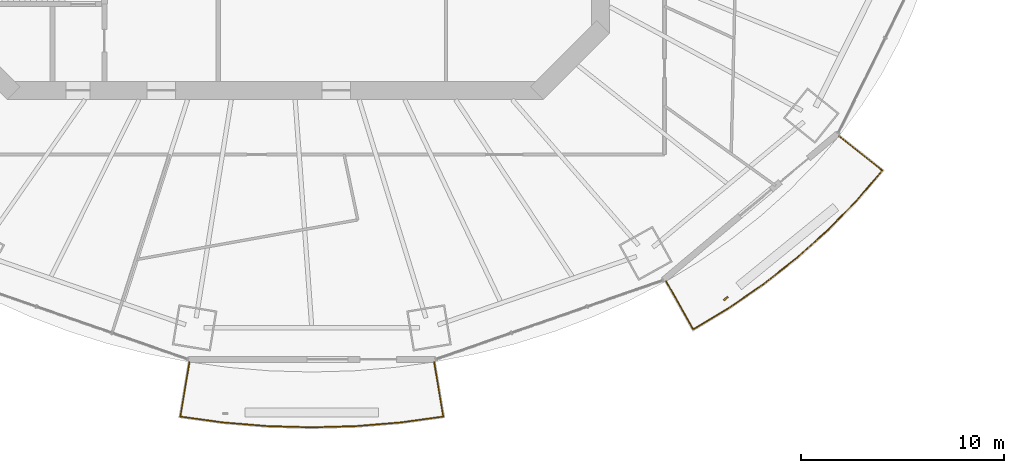
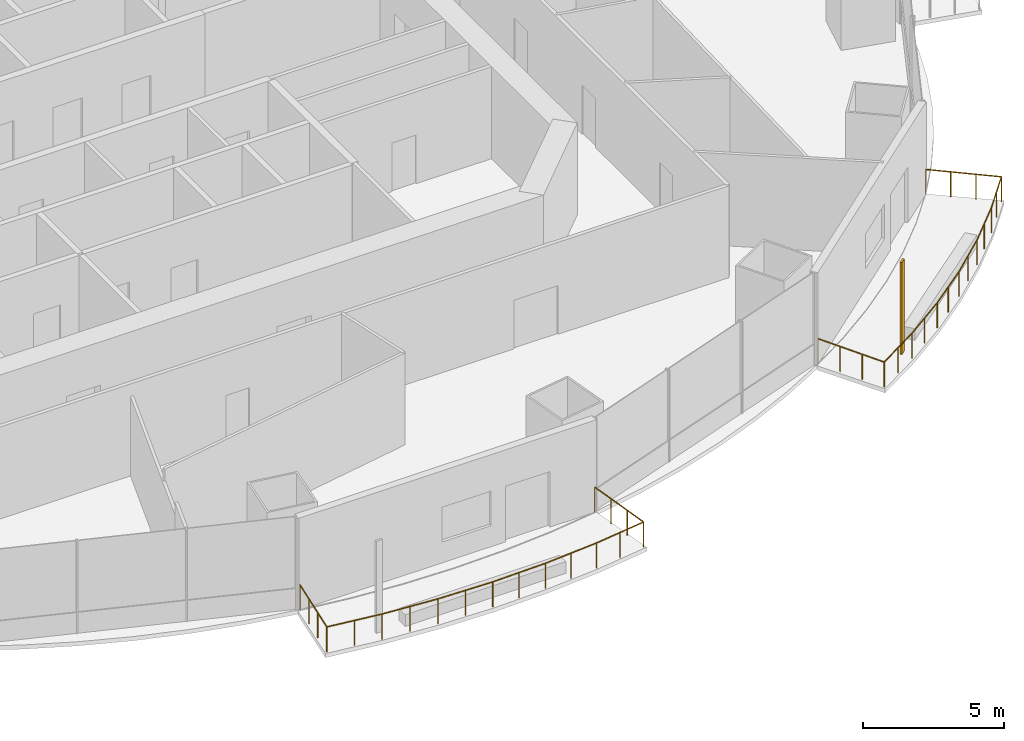
# One storey, part 16 of 20: 2 railings, 1 shading device.
"""IFC4 building model written with IfcOpenShell, lengths in metres."""

from ifc_helpers import new_model, si_unit, direction, frame, origin, origin_2d, place, context, subcontext, project, spatial, rectangle, circle, extrude, material, material_profile, profile_set, type_object, element, save


model = new_model("IFC4")

# Units and contexts
model_context = context("Model", 3, precision=1e-05, world=origin(), true_north=direction((0.0, 1.0)))
body_context = subcontext(model_context, "Body", "Model", "MODEL_VIEW")
ifc_project = project(units=[si_unit("LENGTHUNIT", "METRE"), si_unit("AREAUNIT", "SQUARE_METRE"), si_unit("VOLUMEUNIT", "CUBIC_METRE"), si_unit("PLANEANGLEUNIT", "RADIAN"), si_unit("MASSUNIT", "GRAM", prefix="KILO")], contexts=[model_context])

# Site, building, storey
site_placement = place(None, origin())
site = spatial("IfcSite", under=ifc_project, at=site_placement, CompositionType="ELEMENT")
building_placement = place(site_placement, origin())
building = spatial("IfcBuilding", under=site, at=building_placement, Name="Marenthal Gate Tower", CompositionType="ELEMENT")
storey_placement = place(building_placement, frame((0.0, 0.0, 215.0)))
storey = spatial("IfcBuildingStorey", under=building, at=storey_placement, Name="L47", CompositionType="ELEMENT", Elevation=215.0)

# Railings
ifc_material_1 = material(Name="Stainless steel", Category="steel")
railing_type = type_object("IfcRailingType", Name="Balcony guard 1100", PredefinedType="GUARDRAIL", material=ifc_material_1)
railing_1_placement = place(storey_placement, frame((7.817626953125, -26.35888671875, 0.0)))
element("IfcRailing", 1, at=railing_1_placement, inside=storey, type_object=railing_type, Name="Balcony guard L47 bay 12", PredefinedType="GUARDRAIL", context=body_context, shape_type="SweptSolid", body=[
    extrude(circle(Radius=0.02392578125, at=origin_2d()), frame((0.0, 0.0, 1.076171875), z_axis=(0.164963320777, -0.986189863276, -0.014719251691), x_axis=(0.986296712796, 0.164981193859, 0.0)), (0.0, 0.0, 1.0), 2.72021484375),
    extrude(circle(Radius=0.02392578125, at=origin_2d()), frame((0.44873046875, -2.6826171875, 1.0361328125), z_axis=(-0.990663789329, -0.136327754009, 0.0), x_axis=(0.136327754009, -0.990663789329, 0.0)), (0.0, 0.0, 1.0), 2.10791015625),
    extrude(circle(Radius=0.02392578125, at=origin_2d()), frame((-1.639404296875, -2.969970703125, 1.0361328125), z_axis=(-0.996589397045, -0.082520141157, 0.0), x_axis=(0.082520141157, -0.996589397045, 0.0)), (0.0, 0.0, 1.0), 2.1923828125),
    extrude(circle(Radius=0.02392578125, at=origin_2d()), frame((-3.82421875, -3.15087890625, 1.0361328125), z_axis=(-0.999622272762, -0.027482936484, 0.0), x_axis=(0.027482936484, -0.999622272762, 0.0)), (0.0, 0.0, 1.0), 2.194091796875),
    extrude(circle(Radius=0.02392578125, at=origin_2d()), frame((-6.017578125, -3.211181640625, 1.0361328125), z_axis=(-0.999622356789, 0.027479880036, 0.0), x_axis=(-0.027479880036, -0.999622356789, 0.0)), (0.0, 0.0, 1.0), 2.1943359375),
    extrude(circle(Radius=0.02392578125, at=origin_2d()), frame((-8.211181640625, -3.15087890625, 1.0361328125), z_axis=(-0.996588638583, 0.082529300535, 0.0), x_axis=(-0.082529300535, -0.996588638583, 0.0)), (0.0, 0.0, 1.0), 2.192138671875),
    extrude(circle(Radius=0.02392578125, at=origin_2d()), frame((-10.395751953125, -2.969970703125, 1.0361328125), z_axis=(-0.990663789329, 0.136327754009, 0.0), x_axis=(-0.136327754009, -0.990663789329, 0.0)), (0.0, 0.0, 1.0), 2.10791015625),
    extrude(circle(Radius=0.02392578125, at=origin_2d()), frame((-12.48388671875, -2.6826171875, 1.0361328125), z_axis=(0.164876009703, 0.98620446087, 0.014719469565), x_axis=(-0.986311315136, 0.164893873854, 0.0)), (0.0, 0.0, 1.0), 2.72021484375),
    extrude(circle(Radius=0.02099609375, at=origin_2d()), origin(), (0.0, 0.0, 1.0), 1.052001953125),
    extrude(circle(Radius=0.02099609375, at=origin_2d()), frame((0.149658203125, -0.894287109375, -0.013427734375)), (0.0, 0.0, 1.0), 1.052001953125),
    extrude(circle(Radius=0.02099609375, at=origin_2d()), frame((0.299072265625, -1.788330078125, -0.026611328125)), (0.0, 0.0, 1.0), 1.052001953125),
    extrude(circle(Radius=0.02099609375, at=origin_2d()), frame((0.44873046875, -2.6826171875, -0.0400390625)), (0.0, 0.0, 1.0), 1.052001953125),
    extrude(circle(Radius=0.02099609375, at=origin_2d()), frame((-0.59521484375, -2.826171875, -0.0400390625)), (0.0, 0.0, 1.0), 1.052001953125),
    extrude(circle(Radius=0.02099609375, at=origin_2d()), frame((-1.639404296875, -2.969970703125, -0.0400390625)), (0.0, 0.0, 1.0), 1.052001953125),
    extrude(circle(Radius=0.02099609375, at=origin_2d()), frame((-2.73193359375, -3.060546875, -0.0400390625)), (0.0, 0.0, 1.0), 1.052001953125),
    extrude(circle(Radius=0.02099609375, at=origin_2d()), frame((-3.82421875, -3.15087890625, -0.0400390625)), (0.0, 0.0, 1.0), 1.052001953125),
    extrude(circle(Radius=0.02099609375, at=origin_2d()), frame((-4.9208984375, -3.18115234375, -0.0400390625)), (0.0, 0.0, 1.0), 1.052001953125),
    extrude(circle(Radius=0.02099609375, at=origin_2d()), frame((-6.017578125, -3.211181640625, -0.0400390625)), (0.0, 0.0, 1.0), 1.052001953125),
    extrude(circle(Radius=0.02099609375, at=origin_2d()), frame((-7.1142578125, -3.18115234375, -0.0400390625)), (0.0, 0.0, 1.0), 1.052001953125),
    extrude(circle(Radius=0.02099609375, at=origin_2d()), frame((-8.211181640625, -3.15087890625, -0.0400390625)), (0.0, 0.0, 1.0), 1.052001953125),
    extrude(circle(Radius=0.02099609375, at=origin_2d()), frame((-9.303466796875, -3.060546875, -0.0400390625)), (0.0, 0.0, 1.0), 1.052001953125),
    extrude(circle(Radius=0.02099609375, at=origin_2d()), frame((-10.395751953125, -2.969970703125, -0.0400390625)), (0.0, 0.0, 1.0), 1.052001953125),
    extrude(circle(Radius=0.02099609375, at=origin_2d()), frame((-11.43994140625, -2.826171875, -0.0400390625)), (0.0, 0.0, 1.0), 1.052001953125),
    extrude(circle(Radius=0.02099609375, at=origin_2d()), frame((-12.48388671875, -2.6826171875, -0.0400390625)), (0.0, 0.0, 1.0), 1.052001953125),
    extrude(circle(Radius=0.02099609375, at=origin_2d()), frame((-12.33447265625, -1.788330078125, -0.026611328125)), (0.0, 0.0, 1.0), 1.052001953125),
    extrude(circle(Radius=0.02099609375, at=origin_2d()), frame((-12.184814453125, -0.894287109375, -0.013427734375)), (0.0, 0.0, 1.0), 1.052001953125),
    extrude(circle(Radius=0.02099609375, at=origin_2d()), frame((-12.035400390625, 0.0, 0.0)), (0.0, 0.0, 1.0), 1.052001953125),
])
railing_2_placement = place(storey_placement, frame((27.733642578125, -15.246337890625, 0.0)))
element("IfcRailing", 2, at=railing_2_placement, inside=storey, type_object=railing_type, Name="Balcony guard L47 bay 14", PredefinedType="GUARDRAIL", context=body_context, shape_type="SweptSolid", body=[
    extrude(circle(Radius=0.02392578125, at=origin_2d()), frame((0.0, 0.0, 1.076171875), z_axis=(0.782820273023, -0.622073757432, -0.014719390596), x_axis=(0.622141157777, 0.782905089905, 0.0)), (0.0, 0.0, 1.0), 2.72021484375),
    extrude(circle(Radius=0.02392578125, at=origin_2d()), frame((2.12939453125, -1.692138671875, 1.0361328125), z_axis=(-0.650003821806, -0.759930938729, 0.0), x_axis=(0.759930938729, -0.650003821806, 0.0)), (0.0, 0.0, 1.0), 1.941162109375),
    extrude(circle(Radius=0.02392578125, at=origin_2d()), frame((0.86767578125, -3.167236328125, 1.0361328125), z_axis=(-0.698730968348, -0.715384535667, 0.0), x_axis=(0.715384535667, -0.698730968348, 0.0)), (0.0, 0.0, 1.0), 2.037841796875),
    extrude(circle(Radius=0.02392578125, at=origin_2d()), frame((-0.55615234375, -4.625, 1.0361328125), z_axis=(-0.744433020663, -0.667697145229, 0.0), x_axis=(0.667697145229, -0.744433020663, 0.0)), (0.0, 0.0, 1.0), 2.05517578125),
    extrude(circle(Radius=0.02392578125, at=origin_2d()), frame((-2.086181640625, -5.997314453125, 1.0361328125), z_axis=(-0.785888916209, -0.618367699173, 0.0), x_axis=(0.618367699173, -0.785888916209, 0.0)), (0.0, 0.0, 1.0), 2.072265625),
    extrude(circle(Radius=0.02392578125, at=origin_2d()), frame((-3.71484375, -7.27880859375, 1.0361328125), z_axis=(-0.823321977979, -0.567574594724, 0.0), x_axis=(0.567574594724, -0.823321977979, 0.0)), (0.0, 0.0, 1.0), 2.089599609375),
    extrude(circle(Radius=0.02392578125, at=origin_2d()), frame((-5.435302734375, -8.46484375, 1.0361328125), z_axis=(-0.856139874466, -0.51674414883, 0.0), x_axis=(0.51674414883, -0.856139874466, 0.0)), (0.0, 0.0, 1.0), 2.0263671875),
    extrude(circle(Radius=0.02392578125, at=origin_2d()), frame((-7.170166015625, -9.511962890625, 1.0361328125), z_axis=(-0.489692426364, 0.871770992902, 0.014719493754), x_axis=(-0.871865448727, -0.489745484223, 0.0)), (0.0, 0.0, 1.0), 2.72021484375),
    extrude(circle(Radius=0.02099609375, at=origin_2d()), origin(), (0.0, 0.0, 1.0), 1.052001953125),
    extrude(circle(Radius=0.02099609375, at=origin_2d()), frame((0.709716796875, -0.56396484375, -0.013427734375)), (0.0, 0.0, 1.0), 1.052001953125),
    extrude(circle(Radius=0.02099609375, at=origin_2d()), frame((1.419677734375, -1.128173828125, -0.026611328125)), (0.0, 0.0, 1.0), 1.052001953125),
    extrude(circle(Radius=0.02099609375, at=origin_2d()), frame((2.12939453125, -1.692138671875, -0.0400390625)), (0.0, 0.0, 1.0), 1.052001953125),
    extrude(circle(Radius=0.02099609375, at=origin_2d()), frame((1.49853515625, -2.4296875, -0.0400390625)), (0.0, 0.0, 1.0), 1.052001953125),
    extrude(circle(Radius=0.02099609375, at=origin_2d()), frame((0.86767578125, -3.167236328125, -0.0400390625)), (0.0, 0.0, 1.0), 1.052001953125),
    extrude(circle(Radius=0.02099609375, at=origin_2d()), frame((0.15576171875, -3.89599609375, -0.0400390625)), (0.0, 0.0, 1.0), 1.052001953125),
    extrude(circle(Radius=0.02099609375, at=origin_2d()), frame((-0.55615234375, -4.625, -0.0400390625)), (0.0, 0.0, 1.0), 1.052001953125),
    extrude(circle(Radius=0.02099609375, at=origin_2d()), frame((-1.3212890625, -5.31103515625, -0.0400390625)), (0.0, 0.0, 1.0), 1.052001953125),
    extrude(circle(Radius=0.02099609375, at=origin_2d()), frame((-2.086181640625, -5.997314453125, -0.0400390625)), (0.0, 0.0, 1.0), 1.052001953125),
    extrude(circle(Radius=0.02099609375, at=origin_2d()), frame((-2.900390625, -6.63818359375, -0.0400390625)), (0.0, 0.0, 1.0), 1.052001953125),
    extrude(circle(Radius=0.02099609375, at=origin_2d()), frame((-3.71484375, -7.27880859375, -0.0400390625)), (0.0, 0.0, 1.0), 1.052001953125),
    extrude(circle(Radius=0.02099609375, at=origin_2d()), frame((-4.5751953125, -7.871826171875, -0.0400390625)), (0.0, 0.0, 1.0), 1.052001953125),
    extrude(circle(Radius=0.02099609375, at=origin_2d()), frame((-5.435302734375, -8.46484375, -0.0400390625)), (0.0, 0.0, 1.0), 1.052001953125),
    extrude(circle(Radius=0.02099609375, at=origin_2d()), frame((-6.302734375, -8.98828125, -0.0400390625)), (0.0, 0.0, 1.0), 1.052001953125),
    extrude(circle(Radius=0.02099609375, at=origin_2d()), frame((-7.170166015625, -9.511962890625, -0.0400390625)), (0.0, 0.0, 1.0), 1.052001953125),
    extrude(circle(Radius=0.02099609375, at=origin_2d()), frame((-7.6142578125, -8.721435546875, -0.026611328125)), (0.0, 0.0, 1.0), 1.052001953125),
    extrude(circle(Radius=0.02099609375, at=origin_2d()), frame((-8.05810546875, -7.93115234375, -0.013427734375)), (0.0, 0.0, 1.0), 1.052001953125),
    extrude(circle(Radius=0.02099609375, at=origin_2d()), frame((-8.502197265625, -7.140625, 0.0)), (0.0, 0.0, 1.0), 1.052001953125),
])

# Shading device
ifc_material_2 = material(Name="Terracotta", Category="masonry")
ifc_material_profile = material_profile(ifc_material_2, rectangle(XDim=0.25, YDim=0.080078125, at=origin_2d()), Name="Terracotta baguette 250x80")
ifc_profile_set = profile_set([ifc_material_profile], Name="Terracotta")
shading_device_type = type_object("IfcShadingDeviceType", Name="Terracotta BAGUETTE SCREEN 250x80", PredefinedType="USERDEFINED", material=ifc_profile_set)
shading_device_placement = place(storey_placement, frame((22.172607421875, -23.237548828125, -0.0400390625), z_axis=(0.0, 0.0, 1.0), x_axis=(0.765627996549, 0.643283585131, 0.0)))
element("IfcShadingDevice", 3, at=shading_device_placement, inside=storey, type_object=shading_device_type, Name="Terracotta BAGUETTE L47 bay 14L", ObjectType="BAGUETTE SCREEN", PredefinedType="USERDEFINED", context=body_context, shape_type="SweptSolid", body=[
    extrude(rectangle(XDim=0.25, YDim=0.080078125, at=origin_2d()), origin(), (0.0, 0.0, 1.0), 3.969970703125),
])

save(model, "model.ifc")
